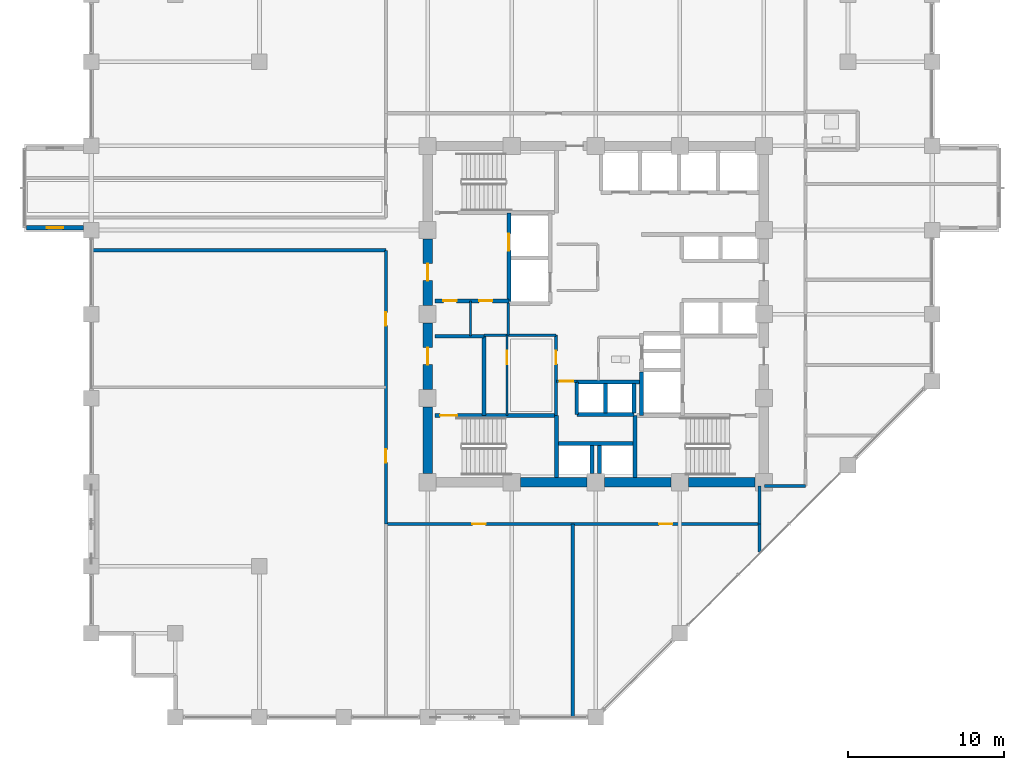
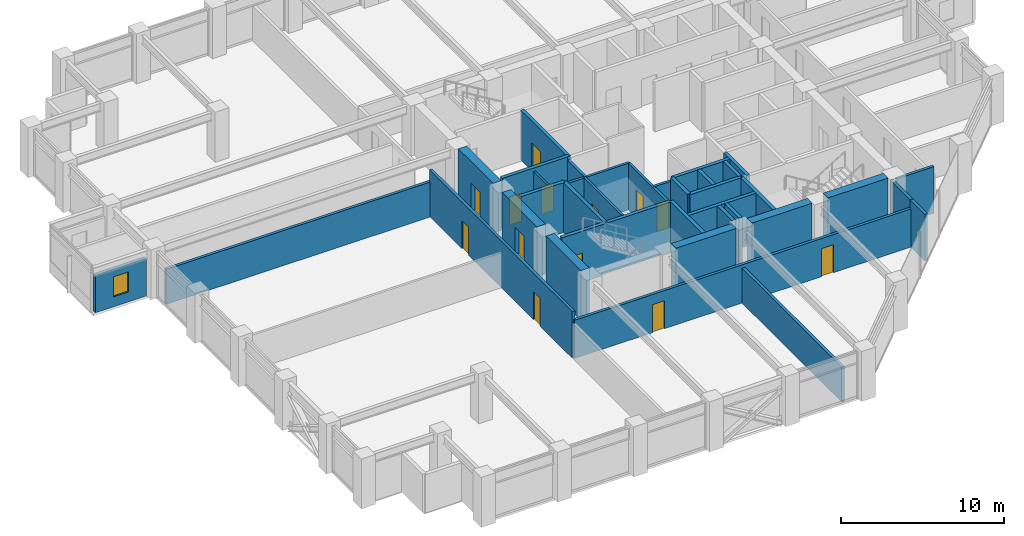
# One storey, part 22 of 29: 36 walls, 13 doors, 1 window, 14 openings.
"""IFC4 building model written with IfcOpenShell, lengths in metres."""

from ifc_helpers import new_model, si_unit, direction, frame, frame_2d, origin, place, context, subcontext, project, spatial, rectangle, extrude, material, layer, layer_set, type_object, element, fill, save


model = new_model("IFC4")

# Units and contexts
model_context = context("Model", 3, precision=1e-05, world=origin(), true_north=direction((0.0, 1.0)))
body_context = subcontext(model_context, "Body", "Model", "MODEL_VIEW")
ifc_project = project(units=[si_unit("LENGTHUNIT", "METRE"), si_unit("AREAUNIT", "SQUARE_METRE"), si_unit("VOLUMEUNIT", "CUBIC_METRE"), si_unit("PLANEANGLEUNIT", "RADIAN"), si_unit("MASSUNIT", "GRAM", prefix="KILO")], contexts=[model_context])

# Site, building, storey
site_placement = place(None, origin())
site = spatial("IfcSite", under=ifc_project, at=site_placement, CompositionType="ELEMENT")
building_placement = place(site_placement, origin())
building = spatial("IfcBuilding", under=site, at=building_placement, Name="Surkhivell Harbour Commons", CompositionType="ELEMENT")
storey_placement = place(building_placement, frame((0.0, 0.0, 158.25)))
storey = spatial("IfcBuildingStorey", under=building, at=storey_placement, Name="L41", CompositionType="ELEMENT", Elevation=158.25)

# Walls
ifc_material_1 = material(Name="Concrete C60/75", Category="concrete")
ifc_layer_1 = layer(ifc_material_1, 0.60009765625)
ifc_layer_set_1 = layer_set([ifc_layer_1], Name="Concrete C60/75")
wall_type_1 = type_object("IfcWallType", Name="WAL-CORE-600", PredefinedType="SHEAR", material=ifc_layer_set_1)
for number, where, z_axis, x_axis, name in (
    (1, (-10.800048828125, -10.239990234375, 0.0), (0.0, 0.0, 1.0), (0.0, 1.0, 0.0), "L41 Core Shear Wall West 1"),
    (2, (-4.840087890625, -10.800048828125, 0.0), (0.0, 0.0, 1.0), (1.0, 0.0, 0.0), "L41 Core Shear Wall South 2"),
):
    element("IfcWall", number, at=place(storey_placement, frame(where, z_axis=z_axis, x_axis=x_axis)), inside=storey, type_object=wall_type_1, Name=name, PredefinedType="SHEAR", context=body_context, shape_type="SweptSolid", body=[
        extrude(rectangle(XDim=4.280029296875, YDim=0.60009765625, at=frame_2d((2.14013671875, 0.0))), origin(), (0.0, 0.0, 1.0), 3.75),
    ])

# Wall, opening, door
wall_1_placement = place(storey_placement, frame((-10.800048828125, -4.840087890625, 0.0), z_axis=(0.0, 0.0, 1.0), x_axis=(0.0, 1.0, 0.0)))
wall_1 = element("IfcWall", 3, at=wall_1_placement, inside=storey, type_object=wall_type_1, Name="L41 Core Shear Wall West 2", PredefinedType="SHEAR", context=body_context, shape_type="SweptSolid", body=[
    extrude(rectangle(XDim=4.280029296875, YDim=0.60009765625, at=frame_2d((2.14013671875, 0.0))), origin(), (0.0, 0.0, 1.0), 3.75),
])
opening_1_placement = place(wall_1_placement, frame((1.590087890625, 0.0, 0.0)))
opening_1 = element("IfcOpeningElement", 4, at=opening_1_placement, cuts=wall_1, Name="Opening ID-2", PredefinedType="OPENING", context=body_context, shape_type="SweptSolid", body=[
    extrude(rectangle(XDim=1.10009765625, YDim=2.10009765625, at=frame_2d((0.550048828125, 1.050048828125))), frame((0.0, 0.31005859375, 0.0), z_axis=(0.0, -1.0, 0.0), x_axis=(1.0, 0.0, 0.0)), (0.0, 0.0, 1.0), 0.6201171875),
])
ifc_material_2 = material(Name="Hardwood-veneered fire-rated door leaf", Category="wood")
door_type_1 = type_object("IfcDoorType", Name="DOR-FD60-1100", OperationType="NOTDEFINED", PredefinedType="DOOR", material=ifc_material_2)
door_1_placement = place(opening_1_placement, origin())
door_1 = element("IfcDoor", 5, at=door_1_placement, inside=storey, type_object=door_type_1, Name="L41 Stair 3 Lobby Corridor Door", OperationType="SINGLE_SWING_LEFT", OverallHeight=2.10009765625, OverallWidth=1.10009765625, PredefinedType="DOOR", context=body_context, shape_type="SweptSolid", body=[
    extrude(rectangle(XDim=1.10009765625, YDim=2.10009765625, at=frame_2d((0.550048828125, 1.050048828125))), frame((0.0, 0.02490234375, 0.0), z_axis=(0.0, -1.0, 0.0), x_axis=(1.0, 0.0, 0.0)), (0.0, 0.0, 1.0), 0.050048828125),
])
fill(opening_1, door_1)

# Wall
wall_2_placement = place(storey_placement, frame((0.56005859375, -10.800048828125, 0.0), z_axis=(0.0, 0.0, 1.0), x_axis=(1.0, 0.0, 0.0)))
element("IfcWall", 6, at=wall_2_placement, inside=storey, type_object=wall_type_1, Name="L41 Core Shear Wall South 3", PredefinedType="SHEAR", context=body_context, shape_type="SweptSolid", body=[
    extrude(rectangle(XDim=4.280029296875, YDim=0.60009765625, at=frame_2d((2.14013671875, 0.0))), origin(), (0.0, 0.0, 1.0), 3.75),
])

# Wall, opening, door
wall_3_placement = place(storey_placement, frame((-10.800048828125, 0.56005859375, 0.0), z_axis=(0.0, 0.0, 1.0), x_axis=(0.0, 1.0, 0.0)))
wall_3 = element("IfcWall", 7, at=wall_3_placement, inside=storey, type_object=wall_type_1, Name="L41 Core Shear Wall West 3", PredefinedType="SHEAR", context=body_context, shape_type="SweptSolid", body=[
    extrude(rectangle(XDim=4.280029296875, YDim=0.60009765625, at=frame_2d((2.14013671875, 0.0))), origin(), (0.0, 0.0, 1.0), 3.75),
])
opening_2_placement = place(wall_3_placement, frame((1.590087890625, 0.0, 0.0)))
opening_2 = element("IfcOpeningElement", 8, at=opening_2_placement, cuts=wall_3, Name="Opening ID-1", PredefinedType="OPENING", context=body_context, shape_type="SweptSolid", body=[
    extrude(rectangle(XDim=1.10009765625, YDim=2.10009765625, at=frame_2d((0.550048828125, 1.050048828125))), frame((0.0, 0.31005859375, 0.0), z_axis=(0.0, -1.0, 0.0), x_axis=(1.0, 0.0, 0.0)), (0.0, 0.0, 1.0), 0.6201171875),
])
door_type_2 = type_object("IfcDoorType", Name="DOR-FD120-1100", OperationType="NOTDEFINED", PredefinedType="DOOR", material=ifc_material_2)
door_2_placement = place(opening_2_placement, origin())
door_2 = element("IfcDoor", 9, at=door_2_placement, inside=storey, type_object=door_type_2, Name="L41 Firefighting Lobby 1 Corridor Door", OperationType="SINGLE_SWING_LEFT", OverallHeight=2.10009765625, OverallWidth=1.10009765625, PredefinedType="DOOR", context=body_context, shape_type="SweptSolid", body=[
    extrude(rectangle(XDim=1.10009765625, YDim=2.10009765625, at=frame_2d((0.550048828125, 1.050048828125))), frame((0.0, 0.02490234375, 0.0), z_axis=(0.0, -1.0, 0.0), x_axis=(1.0, 0.0, 0.0)), (0.0, 0.0, 1.0), 0.050048828125),
])
fill(opening_2, door_2)

# Wall
wall_4_placement = place(storey_placement, frame((5.9599609375, -10.800048828125, 0.0), z_axis=(0.0, 0.0, 1.0), x_axis=(1.0, 0.0, 0.0)))
element("IfcWall", 10, at=wall_4_placement, inside=storey, type_object=wall_type_1, Name="L41 Core Shear Wall South 4", PredefinedType="SHEAR", context=body_context, shape_type="SweptSolid", body=[
    extrude(rectangle(XDim=4.280029296875, YDim=0.60009765625, at=frame_2d((2.14013671875, 0.0))), origin(), (0.0, 0.0, 1.0), 3.75),
])

# Wall, opening, window
ifc_material_3 = material(Name="Terracotta-clad reinforced concrete C45/55", Category="masonry")
ifc_layer_2 = layer(ifc_material_3, 0.280029296875)
ifc_layer_set_2 = layer_set([ifc_layer_2], Name="Terracotta-clad reinforced concrete C45/55")
wall_type_2 = type_object("IfcWallType", Name="WAL-EXT-TER280", PredefinedType="STANDARD", material=ifc_layer_set_2)
wall_5_placement = place(storey_placement, frame((-36.56005859375, 5.5400390625, 0.0), z_axis=(0.0, 0.0, 1.0), x_axis=(1.0, 0.0, 0.0)))
wall_5 = element("IfcWall", 11, at=wall_5_placement, inside=storey, type_object=wall_type_2, Name="L41 Coloured Box Return Wall 02S", PredefinedType="STANDARD", context=body_context, shape_type="SweptSolid", body=[
    extrude(rectangle(XDim=3.656005859375, YDim=0.280029296875, at=frame_2d((1.828125, 0.0))), origin(), (0.0, 0.0, 1.0), 2.787109375),
])
opening_3_placement = place(wall_5_placement, frame((1.302978515625, 0.0, 0.75)))
opening_3 = element("IfcOpeningElement", 12, at=opening_3_placement, cuts=wall_5, Name="Opening WN-11", PredefinedType="OPENING", context=body_context, shape_type="SweptSolid", body=[
    extrude(rectangle(XDim=1.050048828125, YDim=1.5, at=frame_2d((0.52490234375, 0.75))), frame((0.0, 0.14990234375, 0.0), z_axis=(0.0, -1.0, 0.0), x_axis=(1.0, 0.0, 0.0)), (0.0, 0.0, 1.0), 0.300048828125),
])
ifc_material_4 = material(Name="Thermal-break aluminium frame and double low-E glazing", Category="aluminium")
window_type = type_object("IfcWindowType", Name="WIN-SER-1050x1500", PartitioningType="SINGLE_PANEL", PredefinedType="WINDOW", material=ifc_material_4)
window_placement = place(opening_3_placement, origin())
window = element("IfcWindow", 13, at=window_placement, inside=storey, type_object=window_type, Name="L41 Coloured Box Return Window 02S", OverallHeight=1.5, OverallWidth=1.050048828125, PartitioningType="SINGLE_PANEL", PredefinedType="WINDOW", context=body_context, shape_type="SweptSolid", body=[
    extrude(rectangle(XDim=1.050048828125, YDim=1.5, at=frame_2d((0.52490234375, 0.75))), frame((0.0, 0.030029296875, 0.0), z_axis=(0.0, -1.0, 0.0), x_axis=(1.0, 0.0, 0.0)), (0.0, 0.0, 1.0), 0.06005859375),
])
fill(opening_3, window)

# Wall, opening, door
ifc_material_5 = material(Name="Twin-stud acoustic fireboard partition", Category="other")
ifc_layer_3 = layer(ifc_material_5, 0.14990234375)
ifc_layer_set_3 = layer_set([ifc_layer_3], Name="Twin-stud acoustic fireboard partition")
wall_type_3 = type_object("IfcWallType", Name="WAL-INT-150", PredefinedType="PARTITIONING", material=ifc_layer_set_3)
wall_6_placement = place(storey_placement, frame((-5.699951171875, -6.510009765625, 0.0), z_axis=(0.0, 0.0, 1.0), x_axis=(0.0, 1.0, 0.0)))
wall_6 = element("IfcWall", 14, at=wall_6_placement, inside=storey, type_object=wall_type_3, Name="L41 Core Cut B Partition", PredefinedType="PARTITIONING", context=body_context, shape_type="SweptSolid", body=[
    extrude(rectangle(XDim=5.159912109375, YDim=0.14990234375, at=frame_2d((2.580078125, 0.0))), origin(), (0.0, 0.0, 1.0), 3.5),
])
opening_4_placement = place(wall_6_placement, frame((3.300048828125, 0.0, 0.0)))
opening_4 = element("IfcOpeningElement", 15, at=opening_4_placement, cuts=wall_6, Name="Opening ID-6", PredefinedType="OPENING", context=body_context, shape_type="SweptSolid", body=[
    extrude(rectangle(XDim=0.85009765625, YDim=2.10009765625, at=frame_2d((0.425048828125, 1.050048828125))), frame((0.0, 0.0849609375, 0.0), z_axis=(0.0, -1.0, 0.0), x_axis=(1.0, 0.0, 0.0)), (0.0, 0.0, 1.0), 0.169921875),
])
door_type_3 = type_object("IfcDoorType", Name="DOR-FD30-850", OperationType="NOTDEFINED", PredefinedType="DOOR", material=ifc_material_2)
door_3_placement = place(opening_4_placement, origin())
door_3 = element("IfcDoor", 16, at=door_3_placement, inside=storey, type_object=door_type_3, Name="L41 Core Focus Study Door", OperationType="SINGLE_SWING_RIGHT", OverallHeight=2.10009765625, OverallWidth=0.85009765625, PredefinedType="DOOR", context=body_context, shape_type="SweptSolid", body=[
    extrude(rectangle(XDim=0.85009765625, YDim=2.10009765625, at=frame_2d((0.425048828125, 1.050048828125))), frame((0.0, 0.02490234375, 0.0), z_axis=(0.0, -1.0, 0.0), x_axis=(1.0, 0.0, 0.0)), (0.0, 0.0, 1.0), 0.050048828125),
])
fill(opening_4, door_3)

# Wall
wall_7_placement = place(storey_placement, frame((-8.050048828125, -1.419921875, 0.0), z_axis=(0.0, 0.0, 1.0), x_axis=(0.0, 1.0, 0.0)))
element("IfcWall", 17, at=wall_7_placement, inside=storey, type_object=wall_type_3, Name="L41 West Seminar Booth Divider", PredefinedType="PARTITIONING", context=body_context, shape_type="SweptSolid", body=[
    extrude(rectangle(XDim=2.27001953125, YDim=0.14990234375, at=frame_2d((1.135009765625, 0.0))), origin(), (0.0, 0.0, 1.0), 3.5),
])

# Wall, opening, door
ifc_material_6 = material(Name="High-density acoustic blockwork fire partition", Category="masonry")
ifc_layer_4 = layer(ifc_material_6, 0.175048828125)
ifc_layer_set_4 = layer_set([ifc_layer_4], Name="High-density acoustic blockwork fire partition")
wall_type_4 = type_object("IfcWallType", Name="WAL-INT-175", PredefinedType="PARTITIONING", material=ifc_layer_set_4)
wall_8_placement = place(storey_placement, frame((-2.550048828125, -6.510009765625, 0.0), z_axis=(0.0, 0.0, 1.0), x_axis=(0.0, 1.0, 0.0)))
wall_8 = element("IfcWall", 18, at=wall_8_placement, inside=storey, type_object=wall_type_4, Name="L41 Core Service Bay East Wall", PredefinedType="PARTITIONING", context=body_context, shape_type="SweptSolid", body=[
    extrude(rectangle(XDim=5.159912109375, YDim=0.175048828125, at=frame_2d((2.580078125, 0.0))), origin(), (0.0, 0.0, 1.0), 3.5),
])
opening_5_placement = place(wall_8_placement, frame((3.300048828125, 0.0, 0.0)))
opening_5 = element("IfcOpeningElement", 19, at=opening_5_placement, cuts=wall_8, Name="Opening ID-6", PredefinedType="OPENING", context=body_context, shape_type="SweptSolid", body=[
    extrude(rectangle(XDim=0.85009765625, YDim=2.10009765625, at=frame_2d((0.425048828125, 1.050048828125))), frame((0.0, 0.097412109375, 0.0), z_axis=(0.0, -1.0, 0.0), x_axis=(1.0, 0.0, 0.0)), (0.0, 0.0, 1.0), 0.195068359375),
])
door_4_placement = place(opening_5_placement, origin())
door_4 = element("IfcDoor", 20, at=door_4_placement, inside=storey, type_object=door_type_3, Name="L41 Core Music Door", OperationType="SINGLE_SWING_LEFT", OverallHeight=2.10009765625, OverallWidth=0.85009765625, PredefinedType="DOOR", context=body_context, shape_type="SweptSolid", body=[
    extrude(rectangle(XDim=0.85009765625, YDim=2.10009765625, at=frame_2d((0.425048828125, 1.050048828125))), frame((0.0, 0.02490234375, 0.0), z_axis=(0.0, -1.0, 0.0), x_axis=(1.0, 0.0, 0.0)), (0.0, 0.0, 1.0), 0.050048828125),
])
fill(opening_5, door_4)

# Walls
wall_9_placement = place(storey_placement, frame((-7.179931640625, -1.35009765625, 0.0), z_axis=(0.0, 0.0, 1.0), x_axis=(1.0, 0.0, 0.0)))
element("IfcWall", 21, at=wall_9_placement, inside=storey, type_object=wall_type_4, Name="L41 Core Service Bay North Wall", PredefinedType="PARTITIONING", context=body_context, shape_type="SweptSolid", body=[
    extrude(rectangle(XDim=4.6298828125, YDim=0.175048828125, at=frame_2d((2.31494140625, 0.0))), origin(), (0.0, 0.0, 1.0), 3.5),
])
wall_10_placement = place(storey_placement, frame((-5.6201171875, -1.35009765625, 0.0), z_axis=(0.0, 0.0, 1.0), x_axis=(0.0, 1.0, 0.0)))
element("IfcWall", 22, at=wall_10_placement, inside=storey, type_object=wall_type_4, Name="L41 West Core Bay East Wall", PredefinedType="PARTITIONING", context=body_context, shape_type="SweptSolid", body=[
    extrude(rectangle(XDim=2.070068359375, YDim=0.175048828125, at=frame_2d((1.03515625, 0.0))), origin(), (0.0, 0.0, 1.0), 3.5),
])

# Wall, opening, door
wall_11_placement = place(storey_placement, frame((-2.52001953125, -4.320068359375, 0.0), z_axis=(0.0, 0.0, 1.0), x_axis=(1.0, 0.0, 0.0)))
wall_11 = element("IfcWall", 23, at=wall_11_placement, inside=storey, type_object=wall_type_4, Name="L41 High-Rise Lobby North Portal Wall", PredefinedType="PARTITIONING", context=body_context, shape_type="SweptSolid", body=[
    extrude(rectangle(XDim=1.300048828125, YDim=0.175048828125, at=frame_2d((0.64990234375, 0.0))), origin(), (0.0, 0.0, 1.0), 3.5),
])
opening_6_placement = place(wall_11_placement, frame((0.219970703125, 0.0, 0.0)))
opening_6 = element("IfcOpeningElement", 24, at=opening_6_placement, cuts=wall_11, Name="Opening ID-6", PredefinedType="OPENING", context=body_context, shape_type="SweptSolid", body=[
    extrude(rectangle(XDim=0.85009765625, YDim=2.10009765625, at=frame_2d((0.425048828125, 1.050048828125))), frame((0.0, 0.097412109375, 0.0), z_axis=(0.0, -1.0, 0.0), x_axis=(1.0, 0.0, 0.0)), (0.0, 0.0, 1.0), 0.195068359375),
])
door_5_placement = place(opening_6_placement, origin())
door_5 = element("IfcDoor", 25, at=door_5_placement, inside=storey, type_object=door_type_3, Name="L41 High-Rise Lift Lobby North Door", OperationType="SINGLE_SWING_LEFT", OverallHeight=2.10009765625, OverallWidth=0.85009765625, PredefinedType="DOOR", context=body_context, shape_type="SweptSolid", body=[
    extrude(rectangle(XDim=0.85009765625, YDim=2.10009765625, at=frame_2d((0.425048828125, 1.050048828125))), frame((0.0, 0.02490234375, 0.0), z_axis=(0.0, -1.0, 0.0), x_axis=(1.0, 0.0, 0.0)), (0.0, 0.0, 1.0), 0.050048828125),
])
fill(opening_6, door_5)

# Walls
ifc_material_7 = material(Name="Autoclaved aerated concrete blockwork and fire plaster", Category="masonry")
ifc_layer_5 = layer(ifc_material_7, 0.199951171875)
ifc_layer_set_5 = layer_set([ifc_layer_5], Name="Autoclaved aerated concrete blockwork and fire plaster")
wall_type_5 = type_object("IfcWallType", Name="WAL-INT-200", PredefinedType="PARTITIONING", material=ifc_layer_set_5)
wall_12_placement = place(storey_placement, frame((10.52001953125, -15.295166015625, 0.0), z_axis=(0.0, 0.0, 1.0), x_axis=(0.0, 1.0, 0.0)))
element("IfcWall", 26, at=wall_12_placement, inside=storey, type_object=wall_type_5, Name="L41 South-East Wing Corner Divider", PredefinedType="PARTITIONING", context=body_context, shape_type="SweptSolid", body=[
    extrude(rectangle(XDim=1.815185546875, YDim=0.199951171875, at=frame_2d((0.90771484375, 0.0))), origin(), (0.0, 0.0, 1.0), 3.5),
])
wall_13_placement = place(storey_placement, frame((10.85009765625, -11.0400390625, 0.0), z_axis=(0.0, 0.0, 1.0), x_axis=(1.0, 0.0, 0.0)))
element("IfcWall", 27, at=wall_13_placement, inside=storey, type_object=wall_type_5, Name="L41 Corridor East South Closure Wall", PredefinedType="PARTITIONING", context=body_context, shape_type="SweptSolid", body=[
    extrude(rectangle(XDim=2.6298828125, YDim=0.199951171875, at=frame_2d((1.31494140625, 0.0))), origin(), (0.0, 0.0, 1.0), 3.5),
])

# Wall, openings, doors
wall_14_placement = place(storey_placement, frame((-13.47998046875, -13.47998046875, 0.0), z_axis=(0.0, 0.0, 1.0), x_axis=(1.0, 0.0, 0.0)))
wall_14 = element("IfcWall", 28, at=wall_14_placement, inside=storey, type_object=wall_type_5, Name="L41 Corridor South Wall", PredefinedType="PARTITIONING", context=body_context, shape_type="SweptSolid", body=[
    extrude(rectangle(XDim=24.0, YDim=0.199951171875, at=frame_2d((12.0, 0.0))), origin(), (0.0, 0.0, 1.0), 2.863037109375),
])
opening_7_placement = place(wall_14_placement, frame((5.550048828125, 0.0, 0.0)))
opening_7 = element("IfcOpeningElement", 29, at=opening_7_placement, cuts=wall_14, Name="Opening ID-6", PredefinedType="OPENING", context=body_context, shape_type="SweptSolid", body=[
    extrude(rectangle(XDim=0.85009765625, YDim=2.10009765625, at=frame_2d((0.425048828125, 1.050048828125))), frame((0.0, 0.10986328125, 0.0), z_axis=(0.0, -1.0, 0.0), x_axis=(1.0, 0.0, 0.0)), (0.0, 0.0, 1.0), 0.219970703125),
])
opening_8_placement = place(wall_14_placement, frame((17.550048828125, 0.0, 0.0)))
opening_8 = element("IfcOpeningElement", 30, at=opening_8_placement, cuts=wall_14, Name="Opening ID-6", PredefinedType="OPENING", context=body_context, shape_type="SweptSolid", body=[
    extrude(rectangle(XDim=0.85009765625, YDim=2.10009765625, at=frame_2d((0.425048828125, 1.050048828125))), frame((0.0, 0.10986328125, 0.0), z_axis=(0.0, -1.0, 0.0), x_axis=(1.0, 0.0, 0.0)), (0.0, 0.0, 1.0), 0.219970703125),
])
door_6_placement = place(opening_7_placement, origin())
door_6 = element("IfcDoor", 31, at=door_6_placement, inside=storey, type_object=door_type_3, Name="L41 Campus Co-Op Bookshop South Door", OperationType="SINGLE_SWING_RIGHT", OverallHeight=2.10009765625, OverallWidth=0.85009765625, PredefinedType="DOOR", context=body_context, shape_type="SweptSolid", body=[
    extrude(rectangle(XDim=0.85009765625, YDim=2.10009765625, at=frame_2d((0.425048828125, 1.050048828125))), frame((0.0, 0.02490234375, 0.0), z_axis=(0.0, -1.0, 0.0), x_axis=(1.0, 0.0, 0.0)), (0.0, 0.0, 1.0), 0.050048828125),
])
fill(opening_7, door_6)
door_7_placement = place(opening_8_placement, origin())
door_7 = element("IfcDoor", 32, at=door_7_placement, inside=storey, type_object=door_type_3, Name="L41 Harbour Espresso Cafe Shop South Door", OperationType="SINGLE_SWING_LEFT", OverallHeight=2.10009765625, OverallWidth=0.85009765625, PredefinedType="DOOR", context=body_context, shape_type="SweptSolid", body=[
    extrude(rectangle(XDim=0.85009765625, YDim=2.10009765625, at=frame_2d((0.425048828125, 1.050048828125))), frame((0.0, 0.02490234375, 0.0), z_axis=(0.0, -1.0, 0.0), x_axis=(1.0, 0.0, 0.0)), (0.0, 0.0, 1.0), 0.050048828125),
])
fill(opening_8, door_7)

# Walls
wall_15_placement = place(storey_placement, frame((10.52001953125, -13.47998046875, 0.0), z_axis=(0.0, 0.0, 1.0), x_axis=(0.0, 1.0, 0.0)))
element("IfcWall", 33, at=wall_15_placement, inside=storey, type_object=wall_type_5, Name="L41 Corridor SE Closure Wall", PredefinedType="PARTITIONING", context=body_context, shape_type="SweptSolid", body=[
    extrude(rectangle(XDim=2.43994140625, YDim=0.199951171875, at=frame_2d((1.219970703125, 0.0))), origin(), (0.0, 0.0, 1.0), 3.5),
])
wall_16_placement = place(storey_placement, frame((-32.340087890625, 4.10009765625, 0.0), z_axis=(0.0, 0.0, 1.0), x_axis=(1.0, 0.0, 0.0)))
element("IfcWall", 34, at=wall_16_placement, inside=storey, type_object=wall_type_5, Name="L41 West Alcove South Wall", PredefinedType="PARTITIONING", context=body_context, shape_type="SweptSolid", body=[
    extrude(rectangle(XDim=18.860107421875, YDim=0.199951171875, at=frame_2d((9.43017578125, 0.0))), origin(), (0.0, 0.0, 1.0), 2.62890625),
])

# Wall, openings, doors
wall_17_placement = place(storey_placement, frame((-13.47998046875, -13.47998046875, 0.0), z_axis=(0.0, 0.0, 1.0), x_axis=(0.0, 1.0, 0.0)))
wall_17 = element("IfcWall", 35, at=wall_17_placement, inside=storey, type_object=wall_type_5, Name="L41 Corridor West-Lower Wall", PredefinedType="PARTITIONING", context=body_context, shape_type="SweptSolid", body=[
    extrude(rectangle(XDim=17.580078125, YDim=0.199951171875, at=frame_2d((8.7900390625, 0.0))), origin(), (0.0, 0.0, 1.0), 3.5),
])
opening_9_placement = place(wall_17_placement, frame((3.945068359375, 0.0, 0.0)))
opening_9 = element("IfcOpeningElement", 36, at=opening_9_placement, cuts=wall_17, Name="Opening ID-6", PredefinedType="OPENING", context=body_context, shape_type="SweptSolid", body=[
    extrude(rectangle(XDim=0.85009765625, YDim=2.10009765625, at=frame_2d((0.425048828125, 1.050048828125))), frame((0.0, 0.10986328125, 0.0), z_axis=(0.0, -1.0, 0.0), x_axis=(1.0, 0.0, 0.0)), (0.0, 0.0, 1.0), 0.219970703125),
])
opening_10_placement = place(wall_17_placement, frame((12.735107421875, 0.0, 0.0)))
opening_10 = element("IfcOpeningElement", 37, at=opening_10_placement, cuts=wall_17, Name="Opening ID-6", PredefinedType="OPENING", context=body_context, shape_type="SweptSolid", body=[
    extrude(rectangle(XDim=0.85009765625, YDim=2.10009765625, at=frame_2d((0.425048828125, 1.050048828125))), frame((0.0, 0.10986328125, 0.0), z_axis=(0.0, -1.0, 0.0), x_axis=(1.0, 0.0, 0.0)), (0.0, 0.0, 1.0), 0.219970703125),
])
door_8_placement = place(opening_9_placement, origin())
door_8 = element("IfcDoor", 38, at=door_8_placement, inside=storey, type_object=door_type_3, Name="L41 Campus Co-Op Bookshop South-West Door", OperationType="SINGLE_SWING_LEFT", OverallHeight=2.10009765625, OverallWidth=0.85009765625, PredefinedType="DOOR", context=body_context, shape_type="SweptSolid", body=[
    extrude(rectangle(XDim=0.85009765625, YDim=2.10009765625, at=frame_2d((0.425048828125, 1.050048828125))), frame((0.0, 0.02490234375, 0.0), z_axis=(0.0, -1.0, 0.0), x_axis=(1.0, 0.0, 0.0)), (0.0, 0.0, 1.0), 0.050048828125),
])
fill(opening_9, door_8)
door_9_placement = place(opening_10_placement, origin())
door_9 = element("IfcDoor", 39, at=door_9_placement, inside=storey, type_object=door_type_3, Name="L41 Harbour Espresso Cafe Shop South-West Door", OperationType="SINGLE_SWING_RIGHT", OverallHeight=2.10009765625, OverallWidth=0.85009765625, PredefinedType="DOOR", context=body_context, shape_type="SweptSolid", body=[
    extrude(rectangle(XDim=0.85009765625, YDim=2.10009765625, at=frame_2d((0.425048828125, 1.050048828125))), frame((0.0, 0.02490234375, 0.0), z_axis=(0.0, -1.0, 0.0), x_axis=(1.0, 0.0, 0.0)), (0.0, 0.0, 1.0), 0.050048828125),
])
fill(opening_10, door_9)

# Wall
wall_18_placement = place(storey_placement, frame((-1.47998046875, -25.840087890625, 0.0), z_axis=(0.0, 0.0, 1.0), x_axis=(0.0, 1.0, 0.0)))
element("IfcWall", 40, at=wall_18_placement, inside=storey, type_object=wall_type_5, Name="L41 South Partition P1", PredefinedType="PARTITIONING", context=body_context, shape_type="SweptSolid", body=[
    extrude(rectangle(XDim=12.360107421875, YDim=0.199951171875, at=frame_2d((6.18017578125, 0.0))), origin(), (0.0, 0.0, 1.0), 2.62890625),
])

# Wall, opening, door
ifc_material_8 = material(Name="Concrete C50/60", Category="concrete")
ifc_layer_6 = layer(ifc_material_8, 0.25)
ifc_layer_set_6 = layer_set([ifc_layer_6], Name="Concrete C50/60")
wall_type_6 = type_object("IfcWallType", Name="WAL-SHAFT-250", PredefinedType="SHEAR", material=ifc_layer_set_6)
wall_19_placement = place(storey_placement, frame((-5.580078125, 0.719970703125, 0.0), z_axis=(0.0, 0.0, 1.0), x_axis=(0.0, 1.0, 0.0)))
wall_19 = element("IfcWall", 41, at=wall_19_placement, inside=storey, type_object=wall_type_6, Name="L41 Firefighting Lobby 1 East Shaft Wall", PredefinedType="SHEAR", context=body_context, shape_type="SweptSolid", body=[
    extrude(rectangle(XDim=5.7900390625, YDim=0.25, at=frame_2d((2.89501953125, 0.0))), origin(), (0.0, 0.0, 1.0), 3.75),
])
opening_11_placement = place(wall_19_placement, frame((3.35009765625, 0.0, 0.0)))
opening_11 = element("IfcOpeningElement", 42, at=opening_11_placement, cuts=wall_19, Name="Opening LD-1", PredefinedType="OPENING", context=body_context, shape_type="SweptSolid", body=[
    extrude(rectangle(XDim=1.10009765625, YDim=2.10009765625, at=frame_2d((0.550048828125, 1.050048828125))), frame((0.0, 0.135009765625, 0.0), z_axis=(0.0, -1.0, 0.0), x_axis=(1.0, 0.0, 0.0)), (0.0, 0.0, 1.0), 0.27001953125),
])
ifc_material_9 = material(Name="Brushed stainless steel S355", Category="steel")
door_type_4 = type_object("IfcDoorType", Name="DOR-LD-1100", OperationType="SLIDING_TO_LEFT", PredefinedType="DOOR", material=ifc_material_9)
door_10_placement = place(opening_11_placement, origin())
door_10 = element("IfcDoor", 43, at=door_10_placement, inside=storey, type_object=door_type_4, Name="L41 Lift Landing Door LD-FFL1", OperationType="SLIDING_TO_LEFT", OverallHeight=2.10009765625, OverallWidth=1.10009765625, PredefinedType="DOOR", context=body_context, shape_type="SweptSolid", body=[
    extrude(rectangle(XDim=1.10009765625, YDim=2.10009765625, at=frame_2d((0.550048828125, 1.050048828125))), frame((0.0, 0.02490234375, 0.0), z_axis=(0.0, -1.0, 0.0), x_axis=(1.0, 0.0, 0.0)), (0.0, 0.0, 1.0), 0.050048828125),
])
fill(opening_11, door_10)

# Wall, openings, doors
wall_20_placement = place(storey_placement, frame((-10.340087890625, 0.85009765625, 0.0), z_axis=(0.0, 0.0, 1.0), x_axis=(1.0, 0.0, 0.0)))
wall_20 = element("IfcWall", 44, at=wall_20_placement, inside=storey, type_object=wall_type_6, Name="L41 Firefighting Lobby 1 South Wall", PredefinedType="SHEAR", context=body_context, shape_type="SweptSolid", body=[
    extrude(rectangle(XDim=4.760009765625, YDim=0.25, at=frame_2d((2.3798828125, 0.0))), origin(), (0.0, 0.0, 1.0), 3.75),
])
opening_12_placement = place(wall_20_placement, frame((0.550048828125, 0.0, 0.0)))
opening_12 = element("IfcOpeningElement", 45, at=opening_12_placement, cuts=wall_20, Name="Opening ID-6", PredefinedType="OPENING", context=body_context, shape_type="SweptSolid", body=[
    extrude(rectangle(XDim=0.85009765625, YDim=2.10009765625, at=frame_2d((0.425048828125, 1.050048828125))), frame((0.0, 0.135009765625, 0.0), z_axis=(0.0, -1.0, 0.0), x_axis=(1.0, 0.0, 0.0)), (0.0, 0.0, 1.0), 0.27001953125),
])
opening_13_placement = place(wall_20_placement, frame((2.85009765625, 0.0, 0.0)))
opening_13 = element("IfcOpeningElement", 46, at=opening_13_placement, cuts=wall_20, Name="Opening ID-6", PredefinedType="OPENING", context=body_context, shape_type="SweptSolid", body=[
    extrude(rectangle(XDim=0.85009765625, YDim=2.10009765625, at=frame_2d((0.425048828125, 1.050048828125))), frame((0.0, 0.135009765625, 0.0), z_axis=(0.0, -1.0, 0.0), x_axis=(1.0, 0.0, 0.0)), (0.0, 0.0, 1.0), 0.27001953125),
])
door_11_placement = place(opening_12_placement, origin())
door_11 = element("IfcDoor", 47, at=door_11_placement, inside=storey, type_object=door_type_3, Name="L41 West Seminar 1 Door", OperationType="SINGLE_SWING_LEFT", OverallHeight=2.10009765625, OverallWidth=0.85009765625, PredefinedType="DOOR", context=body_context, shape_type="SweptSolid", body=[
    extrude(rectangle(XDim=0.85009765625, YDim=2.10009765625, at=frame_2d((0.425048828125, 1.050048828125))), frame((0.0, 0.02490234375, 0.0), z_axis=(0.0, -1.0, 0.0), x_axis=(1.0, 0.0, 0.0)), (0.0, 0.0, 1.0), 0.050048828125),
])
fill(opening_12, door_11)
door_12_placement = place(opening_13_placement, origin())
door_12 = element("IfcDoor", 48, at=door_12_placement, inside=storey, type_object=door_type_3, Name="L41 West Seminar 2 Door", OperationType="SINGLE_SWING_RIGHT", OverallHeight=2.10009765625, OverallWidth=0.85009765625, PredefinedType="DOOR", context=body_context, shape_type="SweptSolid", body=[
    extrude(rectangle(XDim=0.85009765625, YDim=2.10009765625, at=frame_2d((0.425048828125, 1.050048828125))), frame((0.0, 0.02490234375, 0.0), z_axis=(0.0, -1.0, 0.0), x_axis=(1.0, 0.0, 0.0)), (0.0, 0.0, 1.0), 0.050048828125),
])
fill(opening_13, door_12)

# Walls
wall_21_placement = place(storey_placement, frame((2.929931640625, -6.510009765625, 0.0), z_axis=(0.0, 0.0, 1.0), x_axis=(0.0, 1.0, 0.0)))
element("IfcWall", 49, at=wall_21_placement, inside=storey, type_object=wall_type_6, Name="L41 FFL2 West Shaft Wall", PredefinedType="SHEAR", context=body_context, shape_type="SweptSolid", body=[
    extrude(rectangle(XDim=2.7900390625, YDim=0.25, at=frame_2d((1.39501953125, 0.0))), origin(), (0.0, 0.0, 1.0), 3.75),
])
for number, where, z_axis, x_axis, name in (
    (50, (0.6201171875, -6.340087890625, 0.0), (0.0, 0.0, 1.0), (0.0, 1.0, 0.0), "L41 High-Rise Side Wall N"),
    (51, (2.449951171875, -6.340087890625, 0.0), (0.0, 0.0, 1.0), (0.0, 1.0, 0.0), "L41 High-Rise Side Wall N"),
):
    element("IfcWall", number, at=place(storey_placement, frame(where, z_axis=z_axis, x_axis=x_axis)), inside=storey, type_object=wall_type_6, Name=name, PredefinedType="SHEAR", context=body_context, shape_type="SweptSolid", body=[
        extrude(rectangle(XDim=1.880126953125, YDim=0.25, at=frame_2d((0.93994140625, 0.0))), origin(), (0.0, 0.0, 1.0), 3.75),
    ])
for number, where, z_axis, x_axis, name in (
    (52, (-0.25, -10.25, 0.0), (0.0, 0.0, 1.0), (0.0, 1.0, 0.0), "L41 High-Rise Side Wall S"),
    (53, (0.25, -10.25, 0.0), (0.0, 0.0, 1.0), (0.0, 1.0, 0.0), "L41 High-Rise Side Wall S"),
):
    element("IfcWall", number, at=place(storey_placement, frame(where, z_axis=z_axis, x_axis=x_axis)), inside=storey, type_object=wall_type_6, Name=name, PredefinedType="SHEAR", context=body_context, shape_type="SweptSolid", body=[
        extrude(rectangle(XDim=1.81005859375, YDim=0.25, at=frame_2d((0.905029296875, 0.0))), origin(), (0.0, 0.0, 1.0), 3.75),
    ])
wall_22_placement = place(storey_placement, frame((-1.219970703125, -6.43994140625, 0.0), z_axis=(0.0, 0.0, 1.0), x_axis=(0.0, 1.0, 0.0)))
element("IfcWall", 54, at=wall_22_placement, inside=storey, type_object=wall_type_6, Name="L41 High-Rise Passage East Shaft Wall", PredefinedType="SHEAR", context=body_context, shape_type="SweptSolid", body=[
    extrude(rectangle(XDim=2.079833984375, YDim=0.25, at=frame_2d((1.0400390625, 0.0))), origin(), (0.0, 0.0, 1.0), 3.75),
])
wall_23_placement = place(storey_placement, frame((-1.219970703125, -6.43994140625, 0.0), z_axis=(0.0, 0.0, 1.0), x_axis=(1.0, 0.0, 0.0)))
element("IfcWall", 55, at=wall_23_placement, inside=storey, type_object=wall_type_6, Name="L41 High-Rise North Front Shaft Wall", PredefinedType="SHEAR", context=body_context, shape_type="SweptSolid", body=[
    extrude(rectangle(XDim=3.669921875, YDim=0.25, at=frame_2d((1.8349609375, 0.0))), origin(), (0.0, 0.0, 1.0), 3.75),
])
wall_24_placement = place(storey_placement, frame((-2.47998046875, -8.320068359375, 0.0), z_axis=(0.0, 0.0, 1.0), x_axis=(1.0, 0.0, 0.0)))
element("IfcWall", 56, at=wall_24_placement, inside=storey, type_object=wall_type_6, Name="L41 High-Rise South Front Shaft Wall", PredefinedType="SHEAR", context=body_context, shape_type="SweptSolid", body=[
    extrude(rectangle(XDim=4.929931640625, YDim=0.25, at=frame_2d((2.46484375, 0.0))), origin(), (0.0, 0.0, 1.0), 3.75),
])
wall_25_placement = place(storey_placement, frame((-1.219970703125, -4.360107421875, 0.0), z_axis=(0.0, 0.0, 1.0), x_axis=(1.0, 0.0, 0.0)))
element("IfcWall", 57, at=wall_25_placement, inside=storey, type_object=wall_type_6, Name="L41 High-Rise North Back Shaft Wall", PredefinedType="SHEAR", context=body_context, shape_type="SweptSolid", body=[
    extrude(rectangle(XDim=4.030029296875, YDim=0.25, at=frame_2d((2.01513671875, 0.0))), origin(), (0.0, 0.0, 1.0), 3.75),
])
for number, where, z_axis, x_axis, name in (
    (58, (2.510009765625, -10.5, 0.0), (0.0, 0.0, 1.0), (0.0, 1.0, 0.0), "L41 Stair ST2 West Shear Wall"),
    (59, (-2.510009765625, -10.5, 0.0), (0.0, 0.0, 1.0), (0.0, 1.0, 0.0), "L41 Stair ST3 East Shear Wall"),
):
    element("IfcWall", number, at=place(storey_placement, frame(where, z_axis=z_axis, x_axis=x_axis)), inside=storey, type_object=wall_type_6, Name=name, PredefinedType="SHEAR", context=body_context, shape_type="SweptSolid", body=[
        extrude(rectangle(XDim=3.989990234375, YDim=0.25, at=frame_2d((1.9951171875, 0.0))), origin(), (0.0, 0.0, 1.0), 3.75),
    ])
wall_26_placement = place(storey_placement, frame((-7.179931640625, -6.510009765625, 0.0), z_axis=(0.0, 0.0, 1.0), x_axis=(0.0, 1.0, 0.0)))
element("IfcWall", 60, at=wall_26_placement, inside=storey, type_object=wall_type_6, Name="L41 Stair 3 Lobby East Wall", PredefinedType="SHEAR", context=body_context, shape_type="SweptSolid", body=[
    extrude(rectangle(XDim=5.090087890625, YDim=0.25, at=frame_2d((2.544921875, 0.0))), origin(), (0.0, 0.0, 1.0), 3.75),
])
wall_27_placement = place(storey_placement, frame((-10.340087890625, -1.419921875, 0.0), z_axis=(0.0, 0.0, 1.0), x_axis=(1.0, 0.0, 0.0)))
element("IfcWall", 61, at=wall_27_placement, inside=storey, type_object=wall_type_6, Name="L41 Stair 3 Lobby North Wall", PredefinedType="SHEAR", context=body_context, shape_type="SweptSolid", body=[
    extrude(rectangle(XDim=3.16015625, YDim=0.25, at=frame_2d((1.580078125, 0.0))), origin(), (0.0, 0.0, 1.0), 3.75),
])

# Wall, opening, door
wall_28_placement = place(storey_placement, frame((-10.340087890625, -6.510009765625, 0.0), z_axis=(0.0, 0.0, 1.0), x_axis=(1.0, 0.0, 0.0)))
wall_28 = element("IfcWall", 62, at=wall_28_placement, inside=storey, type_object=wall_type_6, Name="L41 Stair ST3 North Shear Wall", PredefinedType="SHEAR", context=body_context, shape_type="SweptSolid", body=[
    extrude(rectangle(XDim=7.7001953125, YDim=0.25, at=frame_2d((3.85009765625, 0.0))), origin(), (0.0, 0.0, 1.0), 3.75),
])
opening_14_placement = place(wall_28_placement, frame((0.35009765625, 0.0, 0.0)))
opening_14 = element("IfcOpeningElement", 63, at=opening_14_placement, cuts=wall_28, Name="Opening ID-2", PredefinedType="OPENING", context=body_context, shape_type="SweptSolid", body=[
    extrude(rectangle(XDim=1.10009765625, YDim=2.10009765625, at=frame_2d((0.550048828125, 1.050048828125))), frame((0.0, 0.135009765625, 0.0), z_axis=(0.0, -1.0, 0.0), x_axis=(1.0, 0.0, 0.0)), (0.0, 0.0, 1.0), 0.27001953125),
])
door_13_placement = place(opening_14_placement, origin())
door_13 = element("IfcDoor", 64, at=door_13_placement, inside=storey, type_object=door_type_1, Name="L41 Stair ST3 Exit Door", OperationType="SINGLE_SWING_RIGHT", OverallHeight=2.10009765625, OverallWidth=1.10009765625, PredefinedType="DOOR", context=body_context, shape_type="SweptSolid", body=[
    extrude(rectangle(XDim=1.10009765625, YDim=2.10009765625, at=frame_2d((0.550048828125, 1.050048828125))), frame((0.0, 0.02490234375, 0.0), z_axis=(0.0, -1.0, 0.0), x_axis=(1.0, 0.0, 0.0)), (0.0, 0.0, 1.0), 0.050048828125),
])
fill(opening_14, door_13)

save(model, "model.ifc")
